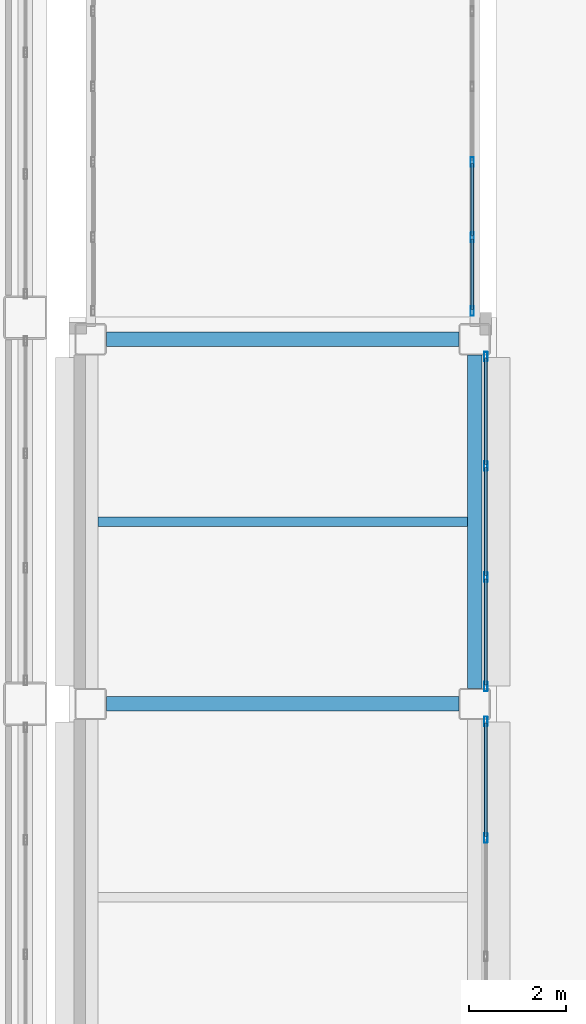
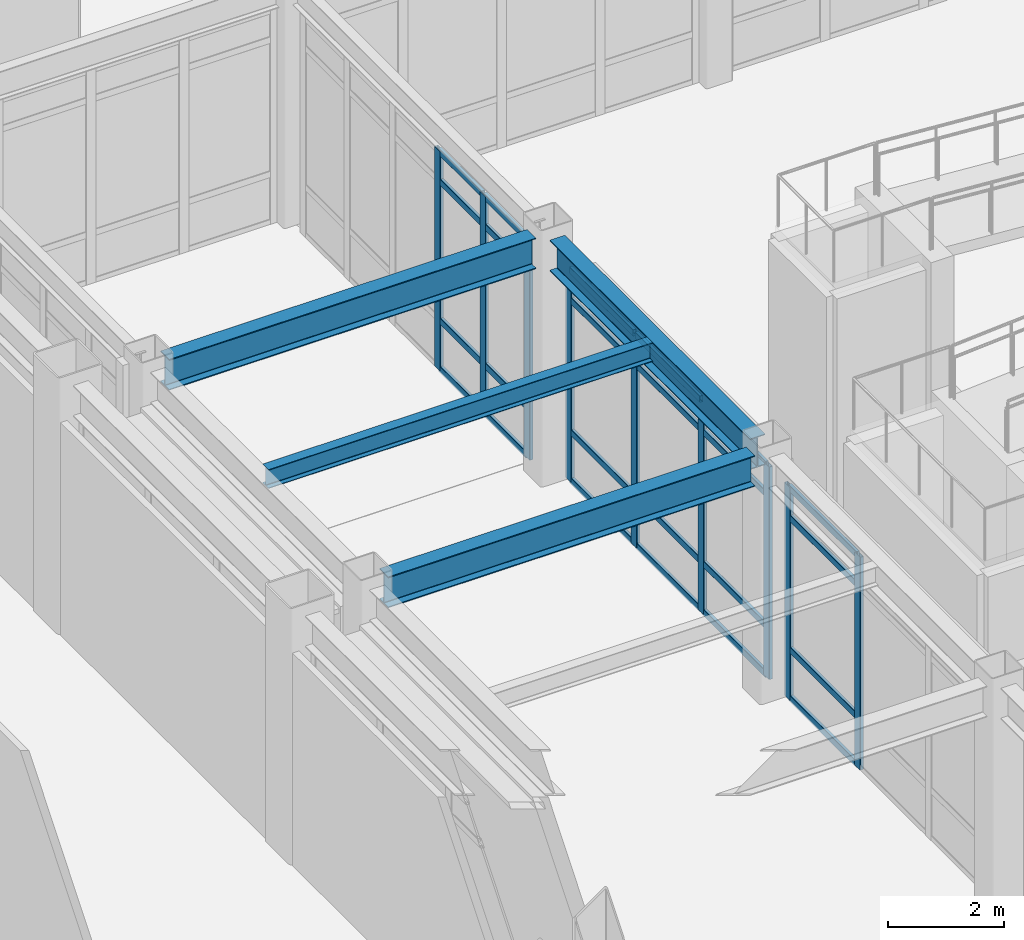
# One storey, part 70 of 165: 33 members, 4 beams, 3 elements without a shape of their own.
"""IFC4 building model written with IfcOpenShell, lengths in metres."""

from ifc_helpers import new_model, si_unit, direction, frame, origin, origin_2d, place, context, subcontext, project, spatial, hollow_rectangle, i_section, extrude, material, layer, layer_set, material_profile, profile_set, type_object, element, aggregate, save


model = new_model("IFC4")

# Units and contexts
model_context = context("Model", 3, precision=1e-05, world=origin(), true_north=direction((0.0, 1.0)))
body_context = subcontext(model_context, "Body", "Model", "MODEL_VIEW")
ifc_project = project(units=[si_unit("LENGTHUNIT", "METRE"), si_unit("AREAUNIT", "SQUARE_METRE"), si_unit("VOLUMEUNIT", "CUBIC_METRE"), si_unit("PLANEANGLEUNIT", "RADIAN"), si_unit("MASSUNIT", "GRAM", prefix="KILO")], contexts=[model_context])

# Site, building, storey
site_placement = place(None, origin())
site = spatial("IfcSite", under=ifc_project, at=site_placement, CompositionType="ELEMENT")
building_placement = place(site_placement, origin())
building = spatial("IfcBuilding", under=site, at=building_placement, Name="Kazehara Bluff Congress Hotel", CompositionType="ELEMENT")
storey_placement = place(building_placement, origin())
storey = spatial("IfcBuildingStorey", under=building, at=storey_placement, Name="L00", CompositionType="ELEMENT", Elevation=0.0)

# Curtain wall, members
ifc_material_1 = material(Name="Anodised aluminium", Category="aluminium")
ifc_layer_1 = layer(ifc_material_1, 0.159912109375)
ifc_layer_set_1 = layer_set([ifc_layer_1], Name="Anodised aluminium")
curtain_wall_type_1 = type_object("IfcCurtainWallType", Name="TP-CW-01", PredefinedType="NOTDEFINED", material=ifc_layer_set_1)
curtain_wall_1_placement = place(storey_placement, origin())
curtain_wall_1 = element("IfcCurtainWall", 1, at=curtain_wall_1_placement, inside=storey, type_object=curtain_wall_type_1, Name="L00 curtain wall CW-01 CW-BRG-34-L00-B", PredefinedType="NOTDEFINED")
ifc_material_2 = material(Name="Anodised aluminium", Category="aluminium")
ifc_material_profile_1 = material_profile(ifc_material_2, hollow_rectangle(XDim=0.070068359375, YDim=0.199951171875, WallThickness=0.0048828125, InnerFilletRadius=0.0048828125, OuterFilletRadius=0.010009765625, at=origin_2d()))
ifc_profile_set_1 = profile_set([ifc_material_profile_1], Name="Anodised aluminium")
member_type_1 = type_object("IfcMemberType", Name="TP-CWM-03", PredefinedType="MULLION", material=ifc_profile_set_1)
member_1_placement = place(storey_placement, frame((67.60009765625, 72.5849609375, 0.0), z_axis=(0.0, 0.0, 1.0), x_axis=(-1.0, 0.0, 0.0)))
member_1 = element("IfcMember", 2, at=member_1_placement, type_object=member_type_1, Name="CW-01 mullion 1", PredefinedType="MULLION", context=body_context, shape_type="SweptSolid", body=[
    extrude(hollow_rectangle(XDim=0.070068359375, YDim=0.199951171875, WallThickness=0.0048828125, InnerFilletRadius=0.0048828125, OuterFilletRadius=0.010009765625, at=origin_2d()), origin(), (0.0, 0.0, 1.0), 4.625),
])
member_2_placement = place(storey_placement, frame((67.60009765625, 74.110107421875, 0.0), z_axis=(0.0, 0.0, 1.0), x_axis=(-1.0, 0.0, 0.0)))
member_2 = element("IfcMember", 3, at=member_2_placement, type_object=member_type_1, Name="CW-01 mullion 2", PredefinedType="MULLION", context=body_context, shape_type="SweptSolid", body=[
    extrude(hollow_rectangle(XDim=0.070068359375, YDim=0.199951171875, WallThickness=0.0048828125, InnerFilletRadius=0.0048828125, OuterFilletRadius=0.010009765625, at=origin_2d()), origin(), (0.0, 0.0, 1.0), 4.625),
])
member_3_placement = place(storey_placement, frame((67.60009765625, 75.669921875, 0.0), z_axis=(0.0, 0.0, 1.0), x_axis=(-1.0, 0.0, 0.0)))
member_3 = element("IfcMember", 4, at=member_3_placement, type_object=member_type_1, Name="CW-01 mullion 3", PredefinedType="MULLION", context=body_context, shape_type="SweptSolid", body=[
    extrude(hollow_rectangle(XDim=0.070068359375, YDim=0.199951171875, WallThickness=0.0048828125, InnerFilletRadius=0.0048828125, OuterFilletRadius=0.010009765625, at=origin_2d()), origin(), (0.0, 0.0, 1.0), 4.625),
])

ifc_material_3 = material(Name="Anodised aluminium", Category="aluminium")
ifc_layer_2 = layer(ifc_material_3, 0.159912109375)
ifc_layer_set_2 = layer_set([ifc_layer_2], Name="Anodised aluminium")
curtain_wall_type_2 = type_object("IfcCurtainWallType", Name="TP-CW-52", PredefinedType="NOTDEFINED", material=ifc_layer_set_2)
curtain_wall_2_placement = place(storey_placement, origin())
curtain_wall_2 = element("IfcCurtainWall", 5, at=curtain_wall_2_placement, inside=storey, type_object=curtain_wall_type_2, Name="L00 curtain wall CW-52 CW-ENC-V4-L00-6788-6045", PredefinedType="NOTDEFINED")
member_4_placement = place(storey_placement, frame((67.8798828125, 64.090087890625, 0.0), z_axis=(0.0, 0.0, 1.0), x_axis=(1.0, 0.0, 0.0)))
member_4 = element("IfcMember", 6, at=member_4_placement, type_object=member_type_1, Name="CW-52 mullion 1", PredefinedType="MULLION", context=body_context, shape_type="SweptSolid", body=[
    extrude(hollow_rectangle(XDim=0.070068359375, YDim=0.199951171875, WallThickness=0.0048828125, InnerFilletRadius=0.0048828125, OuterFilletRadius=0.010009765625, at=origin_2d()), origin(), (0.0, 0.0, 1.0), 4.47509765625),
])
member_5_placement = place(storey_placement, frame((67.8798828125, 61.675048828125, 0.0), z_axis=(0.0, 0.0, 1.0), x_axis=(1.0, 0.0, 0.0)))
member_5 = element("IfcMember", 7, at=member_5_placement, type_object=member_type_1, Name="CW-52 mullion 2", PredefinedType="MULLION", context=body_context, shape_type="SweptSolid", body=[
    extrude(hollow_rectangle(XDim=0.070068359375, YDim=0.199951171875, WallThickness=0.0048828125, InnerFilletRadius=0.0048828125, OuterFilletRadius=0.010009765625, at=origin_2d()), origin(), (0.0, 0.0, 1.0), 4.47509765625),
])

ifc_material_4 = material(Name="Anodised aluminium", Category="aluminium")
ifc_layer_3 = layer(ifc_material_4, 0.159912109375)
ifc_layer_set_3 = layer_set([ifc_layer_3], Name="Anodised aluminium")
curtain_wall_type_3 = type_object("IfcCurtainWallType", Name="TP-CW-51", PredefinedType="NOTDEFINED", material=ifc_layer_set_3)
curtain_wall_3_placement = place(storey_placement, origin())
curtain_wall_3 = element("IfcCurtainWall", 8, at=curtain_wall_3_placement, inside=storey, type_object=curtain_wall_type_3, Name="L00 curtain wall CW-51 CW-ENC-V4-L00-6788-6822", PredefinedType="NOTDEFINED")
member_6_placement = place(storey_placement, frame((67.8798828125, 71.639892578125, 0.0), z_axis=(0.0, 0.0, 1.0), x_axis=(1.0, 0.0, 0.0)))
member_6 = element("IfcMember", 9, at=member_6_placement, type_object=member_type_1, Name="CW-51 mullion 1", PredefinedType="MULLION", context=body_context, shape_type="SweptSolid", body=[
    extrude(hollow_rectangle(XDim=0.070068359375, YDim=0.199951171875, WallThickness=0.0048828125, InnerFilletRadius=0.0048828125, OuterFilletRadius=0.010009765625, at=origin_2d()), origin(), (0.0, 0.0, 1.0), 4.47509765625),
])
member_7_placement = place(storey_placement, frame((67.8798828125, 69.375, 0.0), z_axis=(0.0, 0.0, 1.0), x_axis=(1.0, 0.0, 0.0)))
member_7 = element("IfcMember", 10, at=member_7_placement, type_object=member_type_1, Name="CW-51 mullion 2", PredefinedType="MULLION", context=body_context, shape_type="SweptSolid", body=[
    extrude(hollow_rectangle(XDim=0.070068359375, YDim=0.199951171875, WallThickness=0.0048828125, InnerFilletRadius=0.0048828125, OuterFilletRadius=0.010009765625, at=origin_2d()), origin(), (0.0, 0.0, 1.0), 4.47509765625),
])
member_8_placement = place(storey_placement, frame((67.8798828125, 67.074951171875, 0.0), z_axis=(0.0, 0.0, 1.0), x_axis=(1.0, 0.0, 0.0)))
member_8 = element("IfcMember", 11, at=member_8_placement, type_object=member_type_1, Name="CW-51 mullion 3", PredefinedType="MULLION", context=body_context, shape_type="SweptSolid", body=[
    extrude(hollow_rectangle(XDim=0.070068359375, YDim=0.199951171875, WallThickness=0.0048828125, InnerFilletRadius=0.0048828125, OuterFilletRadius=0.010009765625, at=origin_2d()), origin(), (0.0, 0.0, 1.0), 4.47509765625),
])
member_9_placement = place(storey_placement, frame((67.8798828125, 64.81005859375, 0.0), z_axis=(0.0, 0.0, 1.0), x_axis=(1.0, 0.0, 0.0)))
member_9 = element("IfcMember", 12, at=member_9_placement, type_object=member_type_1, Name="CW-51 mullion 4", PredefinedType="MULLION", context=body_context, shape_type="SweptSolid", body=[
    extrude(hollow_rectangle(XDim=0.070068359375, YDim=0.199951171875, WallThickness=0.0048828125, InnerFilletRadius=0.0048828125, OuterFilletRadius=0.010009765625, at=origin_2d()), origin(), (0.0, 0.0, 1.0), 4.47509765625),
])

# Member
ifc_material_5 = material(Name="Anodised aluminium", Category="aluminium")
ifc_material_profile_2 = material_profile(ifc_material_5, hollow_rectangle(XDim=0.06494140625, YDim=0.139892578125, WallThickness=0.00390625, InnerFilletRadius=0.00390625, OuterFilletRadius=0.008056640625, at=origin_2d()))
ifc_profile_set_2 = profile_set([ifc_material_profile_2], Name="Anodised aluminium")
member_type_2 = type_object("IfcMemberType", Name="TP-CWT-02", PredefinedType="USERDEFINED", material=ifc_profile_set_2)
member_10_placement = place(storey_placement, frame((67.60009765625, 72.6201171875, 0.032470703125), z_axis=(0.0, 1.0, 0.0), x_axis=(-1.0, 0.0, 0.0)))
member_10 = element("IfcMember", 13, at=member_10_placement, type_object=member_type_2, Name="CW-01 transom 1.1", ObjectType="TRANSOM", PredefinedType="USERDEFINED", context=body_context, shape_type="SweptSolid", body=[
    extrude(hollow_rectangle(XDim=0.06494140625, YDim=0.139892578125, WallThickness=0.00390625, InnerFilletRadius=0.00390625, OuterFilletRadius=0.008056640625, at=origin_2d()), origin(), (0.0, 0.0, 1.0), 1.454833984375),
])

member_11_placement = place(storey_placement, frame((67.60009765625, 72.6201171875, 1.050048828125), z_axis=(0.0, 1.0, 0.0), x_axis=(-1.0, 0.0, 0.0)))
member_11 = element("IfcMember", 14, at=member_11_placement, type_object=member_type_2, Name="CW-01 transom 1.2", ObjectType="TRANSOM", PredefinedType="USERDEFINED", context=body_context, shape_type="SweptSolid", body=[
    extrude(hollow_rectangle(XDim=0.06494140625, YDim=0.139892578125, WallThickness=0.00390625, InnerFilletRadius=0.00390625, OuterFilletRadius=0.008056640625, at=origin_2d()), origin(), (0.0, 0.0, 1.0), 1.454833984375),
])

member_12_placement = place(storey_placement, frame((67.60009765625, 72.6201171875, 3.97509765625), z_axis=(0.0, 1.0, 0.0), x_axis=(-1.0, 0.0, 0.0)))
member_12 = element("IfcMember", 15, at=member_12_placement, type_object=member_type_2, Name="CW-01 transom 1.3", ObjectType="TRANSOM", PredefinedType="USERDEFINED", context=body_context, shape_type="SweptSolid", body=[
    extrude(hollow_rectangle(XDim=0.06494140625, YDim=0.139892578125, WallThickness=0.00390625, InnerFilletRadius=0.00390625, OuterFilletRadius=0.008056640625, at=origin_2d()), origin(), (0.0, 0.0, 1.0), 1.454833984375),
])

member_13_placement = place(storey_placement, frame((67.60009765625, 72.6201171875, 4.592529296875), z_axis=(0.0, 1.0, 0.0), x_axis=(-1.0, 0.0, 0.0)))
member_13 = element("IfcMember", 16, at=member_13_placement, type_object=member_type_2, Name="CW-01 transom 1.4", ObjectType="TRANSOM", PredefinedType="USERDEFINED", context=body_context, shape_type="SweptSolid", body=[
    extrude(hollow_rectangle(XDim=0.06494140625, YDim=0.139892578125, WallThickness=0.00390625, InnerFilletRadius=0.00390625, OuterFilletRadius=0.008056640625, at=origin_2d()), origin(), (0.0, 0.0, 1.0), 1.454833984375),
])

member_14_placement = place(storey_placement, frame((67.60009765625, 74.14501953125, 0.032470703125), z_axis=(0.0, 1.0, 0.0), x_axis=(-1.0, 0.0, 0.0)))
member_14 = element("IfcMember", 17, at=member_14_placement, type_object=member_type_2, Name="CW-01 transom 2.1", ObjectType="TRANSOM", PredefinedType="USERDEFINED", context=body_context, shape_type="SweptSolid", body=[
    extrude(hollow_rectangle(XDim=0.06494140625, YDim=0.139892578125, WallThickness=0.00390625, InnerFilletRadius=0.00390625, OuterFilletRadius=0.008056640625, at=origin_2d()), origin(), (0.0, 0.0, 1.0), 1.489990234375),
])

member_15_placement = place(storey_placement, frame((67.60009765625, 74.14501953125, 1.050048828125), z_axis=(0.0, 1.0, 0.0), x_axis=(-1.0, 0.0, 0.0)))
member_15 = element("IfcMember", 18, at=member_15_placement, type_object=member_type_2, Name="CW-01 transom 2.2", ObjectType="TRANSOM", PredefinedType="USERDEFINED", context=body_context, shape_type="SweptSolid", body=[
    extrude(hollow_rectangle(XDim=0.06494140625, YDim=0.139892578125, WallThickness=0.00390625, InnerFilletRadius=0.00390625, OuterFilletRadius=0.008056640625, at=origin_2d()), origin(), (0.0, 0.0, 1.0), 1.489990234375),
])

member_16_placement = place(storey_placement, frame((67.60009765625, 74.14501953125, 3.97509765625), z_axis=(0.0, 1.0, 0.0), x_axis=(-1.0, 0.0, 0.0)))
member_16 = element("IfcMember", 19, at=member_16_placement, type_object=member_type_2, Name="CW-01 transom 2.3", ObjectType="TRANSOM", PredefinedType="USERDEFINED", context=body_context, shape_type="SweptSolid", body=[
    extrude(hollow_rectangle(XDim=0.06494140625, YDim=0.139892578125, WallThickness=0.00390625, InnerFilletRadius=0.00390625, OuterFilletRadius=0.008056640625, at=origin_2d()), origin(), (0.0, 0.0, 1.0), 1.489990234375),
])

member_17_placement = place(storey_placement, frame((67.60009765625, 74.14501953125, 4.592529296875), z_axis=(0.0, 1.0, 0.0), x_axis=(-1.0, 0.0, 0.0)))
member_17 = element("IfcMember", 20, at=member_17_placement, type_object=member_type_2, Name="CW-01 transom 2.4", ObjectType="TRANSOM", PredefinedType="USERDEFINED", context=body_context, shape_type="SweptSolid", body=[
    extrude(hollow_rectangle(XDim=0.06494140625, YDim=0.139892578125, WallThickness=0.00390625, InnerFilletRadius=0.00390625, OuterFilletRadius=0.008056640625, at=origin_2d()), origin(), (0.0, 0.0, 1.0), 1.489990234375),
])

aggregate(curtain_wall_1, [member_1, member_2, member_3, member_10, member_11, member_12, member_13, member_14, member_15, member_16, member_17])

member_18_placement = place(storey_placement, frame((67.8798828125, 64.054931640625, 0.032470703125), z_axis=(0.0, -1.0, 0.0), x_axis=(1.0, 0.0, 0.0)))
member_18 = element("IfcMember", 21, at=member_18_placement, type_object=member_type_2, Name="CW-52 transom 1.1", ObjectType="TRANSOM", PredefinedType="USERDEFINED", context=body_context, shape_type="SweptSolid", body=[
    extrude(hollow_rectangle(XDim=0.06494140625, YDim=0.139892578125, WallThickness=0.00390625, InnerFilletRadius=0.00390625, OuterFilletRadius=0.008056640625, at=origin_2d()), origin(), (0.0, 0.0, 1.0), 2.344970703125),
])

member_19_placement = place(storey_placement, frame((67.8798828125, 64.054931640625, 1.050048828125), z_axis=(0.0, -1.0, 0.0), x_axis=(1.0, 0.0, 0.0)))
member_19 = element("IfcMember", 22, at=member_19_placement, type_object=member_type_2, Name="CW-52 transom 1.2", ObjectType="TRANSOM", PredefinedType="USERDEFINED", context=body_context, shape_type="SweptSolid", body=[
    extrude(hollow_rectangle(XDim=0.06494140625, YDim=0.139892578125, WallThickness=0.00390625, InnerFilletRadius=0.00390625, OuterFilletRadius=0.008056640625, at=origin_2d()), origin(), (0.0, 0.0, 1.0), 2.344970703125),
])

member_20_placement = place(storey_placement, frame((67.8798828125, 64.054931640625, 3.824951171875), z_axis=(0.0, -1.0, 0.0), x_axis=(1.0, 0.0, 0.0)))
member_20 = element("IfcMember", 23, at=member_20_placement, type_object=member_type_2, Name="CW-52 transom 1.3", ObjectType="TRANSOM", PredefinedType="USERDEFINED", context=body_context, shape_type="SweptSolid", body=[
    extrude(hollow_rectangle(XDim=0.06494140625, YDim=0.139892578125, WallThickness=0.00390625, InnerFilletRadius=0.00390625, OuterFilletRadius=0.008056640625, at=origin_2d()), origin(), (0.0, 0.0, 1.0), 2.344970703125),
])

member_21_placement = place(storey_placement, frame((67.8798828125, 64.054931640625, 4.4423828125), z_axis=(0.0, -1.0, 0.0), x_axis=(1.0, 0.0, 0.0)))
member_21 = element("IfcMember", 24, at=member_21_placement, type_object=member_type_2, Name="CW-52 transom 1.4", ObjectType="TRANSOM", PredefinedType="USERDEFINED", context=body_context, shape_type="SweptSolid", body=[
    extrude(hollow_rectangle(XDim=0.06494140625, YDim=0.139892578125, WallThickness=0.00390625, InnerFilletRadius=0.00390625, OuterFilletRadius=0.008056640625, at=origin_2d()), origin(), (0.0, 0.0, 1.0), 2.344970703125),
])

aggregate(curtain_wall_2, [member_4, member_5, member_18, member_19, member_20, member_21])

member_22_placement = place(storey_placement, frame((67.8798828125, 71.60498046875, 0.032470703125), z_axis=(0.0, -1.0, 0.0), x_axis=(1.0, 0.0, 0.0)))
member_22 = element("IfcMember", 25, at=member_22_placement, type_object=member_type_2, Name="CW-51 transom 1.1", ObjectType="TRANSOM", PredefinedType="USERDEFINED", context=body_context, shape_type="SweptSolid", body=[
    extrude(hollow_rectangle(XDim=0.06494140625, YDim=0.139892578125, WallThickness=0.00390625, InnerFilletRadius=0.00390625, OuterFilletRadius=0.008056640625, at=origin_2d()), origin(), (0.0, 0.0, 1.0), 2.195068359375),
])

member_23_placement = place(storey_placement, frame((67.8798828125, 71.60498046875, 1.050048828125), z_axis=(0.0, -1.0, 0.0), x_axis=(1.0, 0.0, 0.0)))
member_23 = element("IfcMember", 26, at=member_23_placement, type_object=member_type_2, Name="CW-51 transom 1.2", ObjectType="TRANSOM", PredefinedType="USERDEFINED", context=body_context, shape_type="SweptSolid", body=[
    extrude(hollow_rectangle(XDim=0.06494140625, YDim=0.139892578125, WallThickness=0.00390625, InnerFilletRadius=0.00390625, OuterFilletRadius=0.008056640625, at=origin_2d()), origin(), (0.0, 0.0, 1.0), 2.195068359375),
])

member_24_placement = place(storey_placement, frame((67.8798828125, 71.60498046875, 3.824951171875), z_axis=(0.0, -1.0, 0.0), x_axis=(1.0, 0.0, 0.0)))
member_24 = element("IfcMember", 27, at=member_24_placement, type_object=member_type_2, Name="CW-51 transom 1.3", ObjectType="TRANSOM", PredefinedType="USERDEFINED", context=body_context, shape_type="SweptSolid", body=[
    extrude(hollow_rectangle(XDim=0.06494140625, YDim=0.139892578125, WallThickness=0.00390625, InnerFilletRadius=0.00390625, OuterFilletRadius=0.008056640625, at=origin_2d()), origin(), (0.0, 0.0, 1.0), 2.195068359375),
])

member_25_placement = place(storey_placement, frame((67.8798828125, 71.60498046875, 4.4423828125), z_axis=(0.0, -1.0, 0.0), x_axis=(1.0, 0.0, 0.0)))
member_25 = element("IfcMember", 28, at=member_25_placement, type_object=member_type_2, Name="CW-51 transom 1.4", ObjectType="TRANSOM", PredefinedType="USERDEFINED", context=body_context, shape_type="SweptSolid", body=[
    extrude(hollow_rectangle(XDim=0.06494140625, YDim=0.139892578125, WallThickness=0.00390625, InnerFilletRadius=0.00390625, OuterFilletRadius=0.008056640625, at=origin_2d()), origin(), (0.0, 0.0, 1.0), 2.195068359375),
])

member_26_placement = place(storey_placement, frame((67.8798828125, 69.340087890625, 0.032470703125), z_axis=(0.0, -1.0, 0.0), x_axis=(1.0, 0.0, 0.0)))
member_26 = element("IfcMember", 29, at=member_26_placement, type_object=member_type_2, Name="CW-51 transom 2.1", ObjectType="TRANSOM", PredefinedType="USERDEFINED", context=body_context, shape_type="SweptSolid", body=[
    extrude(hollow_rectangle(XDim=0.06494140625, YDim=0.139892578125, WallThickness=0.00390625, InnerFilletRadius=0.00390625, OuterFilletRadius=0.008056640625, at=origin_2d()), origin(), (0.0, 0.0, 1.0), 2.22998046875),
])

member_27_placement = place(storey_placement, frame((67.8798828125, 69.340087890625, 1.050048828125), z_axis=(0.0, -1.0, 0.0), x_axis=(1.0, 0.0, 0.0)))
member_27 = element("IfcMember", 30, at=member_27_placement, type_object=member_type_2, Name="CW-51 transom 2.2", ObjectType="TRANSOM", PredefinedType="USERDEFINED", context=body_context, shape_type="SweptSolid", body=[
    extrude(hollow_rectangle(XDim=0.06494140625, YDim=0.139892578125, WallThickness=0.00390625, InnerFilletRadius=0.00390625, OuterFilletRadius=0.008056640625, at=origin_2d()), origin(), (0.0, 0.0, 1.0), 2.22998046875),
])

member_28_placement = place(storey_placement, frame((67.8798828125, 69.340087890625, 3.824951171875), z_axis=(0.0, -1.0, 0.0), x_axis=(1.0, 0.0, 0.0)))
member_28 = element("IfcMember", 31, at=member_28_placement, type_object=member_type_2, Name="CW-51 transom 2.3", ObjectType="TRANSOM", PredefinedType="USERDEFINED", context=body_context, shape_type="SweptSolid", body=[
    extrude(hollow_rectangle(XDim=0.06494140625, YDim=0.139892578125, WallThickness=0.00390625, InnerFilletRadius=0.00390625, OuterFilletRadius=0.008056640625, at=origin_2d()), origin(), (0.0, 0.0, 1.0), 2.22998046875),
])

member_29_placement = place(storey_placement, frame((67.8798828125, 69.340087890625, 4.4423828125), z_axis=(0.0, -1.0, 0.0), x_axis=(1.0, 0.0, 0.0)))
member_29 = element("IfcMember", 32, at=member_29_placement, type_object=member_type_2, Name="CW-51 transom 2.4", ObjectType="TRANSOM", PredefinedType="USERDEFINED", context=body_context, shape_type="SweptSolid", body=[
    extrude(hollow_rectangle(XDim=0.06494140625, YDim=0.139892578125, WallThickness=0.00390625, InnerFilletRadius=0.00390625, OuterFilletRadius=0.008056640625, at=origin_2d()), origin(), (0.0, 0.0, 1.0), 2.22998046875),
])

member_30_placement = place(storey_placement, frame((67.8798828125, 67.0400390625, 0.032470703125), z_axis=(0.0, -1.0, 0.0), x_axis=(1.0, 0.0, 0.0)))
member_30 = element("IfcMember", 33, at=member_30_placement, type_object=member_type_2, Name="CW-51 transom 3.1", ObjectType="TRANSOM", PredefinedType="USERDEFINED", context=body_context, shape_type="SweptSolid", body=[
    extrude(hollow_rectangle(XDim=0.06494140625, YDim=0.139892578125, WallThickness=0.00390625, InnerFilletRadius=0.00390625, OuterFilletRadius=0.008056640625, at=origin_2d()), origin(), (0.0, 0.0, 1.0), 2.195068359375),
])

member_31_placement = place(storey_placement, frame((67.8798828125, 67.0400390625, 1.050048828125), z_axis=(0.0, -1.0, 0.0), x_axis=(1.0, 0.0, 0.0)))
member_31 = element("IfcMember", 34, at=member_31_placement, type_object=member_type_2, Name="CW-51 transom 3.2", ObjectType="TRANSOM", PredefinedType="USERDEFINED", context=body_context, shape_type="SweptSolid", body=[
    extrude(hollow_rectangle(XDim=0.06494140625, YDim=0.139892578125, WallThickness=0.00390625, InnerFilletRadius=0.00390625, OuterFilletRadius=0.008056640625, at=origin_2d()), origin(), (0.0, 0.0, 1.0), 2.195068359375),
])

member_32_placement = place(storey_placement, frame((67.8798828125, 67.0400390625, 3.824951171875), z_axis=(0.0, -1.0, 0.0), x_axis=(1.0, 0.0, 0.0)))
member_32 = element("IfcMember", 35, at=member_32_placement, type_object=member_type_2, Name="CW-51 transom 3.3", ObjectType="TRANSOM", PredefinedType="USERDEFINED", context=body_context, shape_type="SweptSolid", body=[
    extrude(hollow_rectangle(XDim=0.06494140625, YDim=0.139892578125, WallThickness=0.00390625, InnerFilletRadius=0.00390625, OuterFilletRadius=0.008056640625, at=origin_2d()), origin(), (0.0, 0.0, 1.0), 2.195068359375),
])

member_33_placement = place(storey_placement, frame((67.8798828125, 67.0400390625, 4.4423828125), z_axis=(0.0, -1.0, 0.0), x_axis=(1.0, 0.0, 0.0)))
member_33 = element("IfcMember", 36, at=member_33_placement, type_object=member_type_2, Name="CW-51 transom 3.4", ObjectType="TRANSOM", PredefinedType="USERDEFINED", context=body_context, shape_type="SweptSolid", body=[
    extrude(hollow_rectangle(XDim=0.06494140625, YDim=0.139892578125, WallThickness=0.00390625, InnerFilletRadius=0.00390625, OuterFilletRadius=0.008056640625, at=origin_2d()), origin(), (0.0, 0.0, 1.0), 2.195068359375),
])

aggregate(curtain_wall_3, [member_6, member_7, member_8, member_9, member_22, member_23, member_24, member_25, member_26, member_27, member_28, member_29, member_30, member_31, member_32, member_33])

# Beams
ifc_material_6 = material(Name="Steel SN490B", Category="steel")
ifc_material_profile_3 = material_profile(ifc_material_6, i_section(OverallWidth=0.300048828125, OverallDepth=0.64990234375, WebThickness=0.011962890625, FlangeThickness=0.02001953125, FilletRadius=0.012939453125, at=origin_2d()))
ifc_profile_set_3 = profile_set([ifc_material_profile_3], Name="Steel SN490B")
beam_type_1 = type_object("IfcBeamType", Name="TP-G-03", PredefinedType="BEAM", material=ifc_profile_set_3)
beam_1_placement = place(storey_placement, frame((67.64990234375, 64.77490234375, 4.824951171875), z_axis=(0.0, 1.0, 0.0), x_axis=(-1.0, 0.0, 0.0)))
element("IfcBeam", 37, at=beam_1_placement, inside=storey, type_object=beam_type_1, Name="L00 girder G-03 161", PredefinedType="BEAM", context=body_context, shape_type="SweptSolid", body=[
    extrude(i_section(OverallWidth=0.300048828125, OverallDepth=0.64990234375, WebThickness=0.011962890625, FlangeThickness=0.02001953125, FilletRadius=0.012939453125, at=origin_2d()), origin(), (0.0, 0.0, 1.0), 6.900146484375),
])
for number, where, z_axis, x_axis, name in (
    (38, (60.02490234375, 64.449951171875, 4.824951171875), (1.0, 0.0, 0.0), (0.0, 1.0, 0.0), "L00 girder G-03 219"),
    (39, (60.02490234375, 72.0, 4.824951171875), (1.0, 0.0, 0.0), (0.0, 1.0, 0.0), "L00 girder G-03 220"),
):
    element("IfcBeam", number, at=place(storey_placement, frame(where, z_axis=z_axis, x_axis=x_axis)), inside=storey, type_object=beam_type_1, Name=name, PredefinedType="BEAM", context=body_context, shape_type="SweptSolid", body=[
        extrude(i_section(OverallWidth=0.300048828125, OverallDepth=0.64990234375, WebThickness=0.011962890625, FlangeThickness=0.02001953125, FilletRadius=0.012939453125, at=origin_2d()), origin(), (0.0, 0.0, 1.0), 7.300048828125),
    ])
ifc_material_7 = material(Name="Steel SN400B", Category="steel")
ifc_material_profile_4 = material_profile(ifc_material_7, i_section(OverallWidth=0.199951171875, OverallDepth=0.39990234375, WebThickness=0.008056640625, FlangeThickness=0.012939453125, FilletRadius=0.012939453125, at=origin_2d()))
ifc_profile_set_4 = profile_set([ifc_material_profile_4], Name="Steel SN400B")
beam_type_2 = type_object("IfcBeamType", Name="TP-J-03", PredefinedType="JOIST", material=ifc_profile_set_4)
beam_2_placement = place(storey_placement, frame((59.85009765625, 68.22509765625, 4.949951171875), z_axis=(1.0, 0.0, 0.0), x_axis=(0.0, 1.0, 0.0)))
element("IfcBeam", 40, at=beam_2_placement, inside=storey, type_object=beam_type_2, Name="L00 secondary joist J-03 36", PredefinedType="JOIST", context=body_context, shape_type="SweptSolid", body=[
    extrude(i_section(OverallWidth=0.199951171875, OverallDepth=0.39990234375, WebThickness=0.008056640625, FlangeThickness=0.012939453125, FilletRadius=0.012939453125, at=origin_2d()), origin(), (0.0, 0.0, 1.0), 7.64990234375),
])

save(model, "model.ifc")
